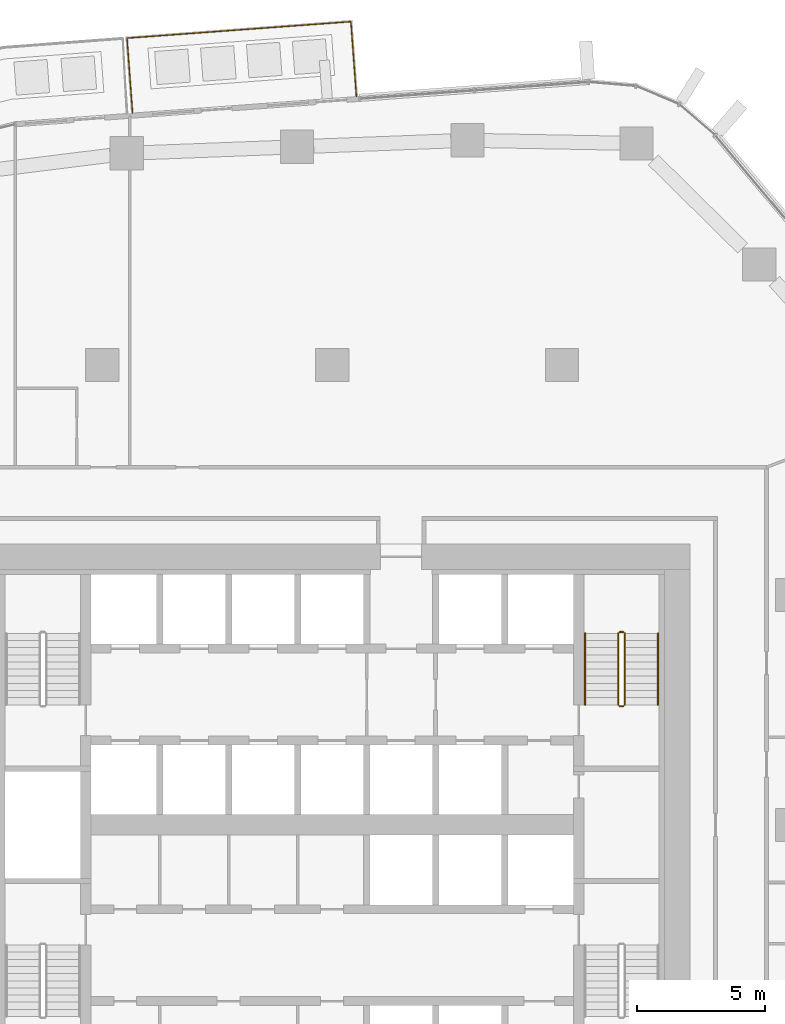
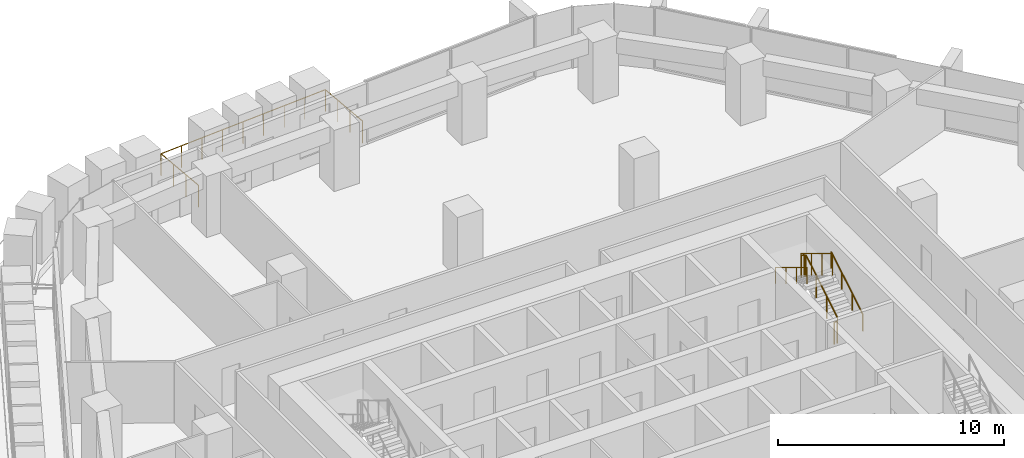
# One storey, part 22 of 23: 7 railings.
"""IFC4 building model written with IfcOpenShell, lengths in metres."""

from ifc_helpers import new_model, si_unit, direction, frame, origin, origin_2d, place, context, subcontext, project, spatial, circle, extrude, material, type_object, element, save


model = new_model("IFC4")

# Units and contexts
model_context = context("Model", 3, precision=1e-05, world=origin(), true_north=direction((0.0, 1.0)))
body_context = subcontext(model_context, "Body", "Model", "MODEL_VIEW")
ifc_project = project(units=[si_unit("LENGTHUNIT", "METRE"), si_unit("AREAUNIT", "SQUARE_METRE"), si_unit("VOLUMEUNIT", "CUBIC_METRE"), si_unit("PLANEANGLEUNIT", "RADIAN"), si_unit("MASSUNIT", "GRAM", prefix="KILO")], contexts=[model_context])

# Site, building, storey
site_placement = place(None, origin())
site = spatial("IfcSite", under=ifc_project, at=site_placement, CompositionType="ELEMENT")
building_placement = place(site_placement, origin())
building = spatial("IfcBuilding", under=site, at=building_placement, Name="Dongbaek Canopy Tower", CompositionType="ELEMENT")
storey_placement = place(building_placement, frame((0.0, 0.0, 135.89990234375)))
storey = spatial("IfcBuildingStorey", under=building, at=storey_placement, Name="L30", CompositionType="ELEMENT", Elevation=135.89990234375)

# Railings
ifc_material_1 = material(Name="Stainless steel", Category="steel")
railing_type_1 = type_object("IfcRailingType", Name="Balcony balustrade 1200", PredefinedType="BALUSTRADE", material=ifc_material_1)
railing_1_placement = place(storey_placement, frame((0.94775390625, 28.5107421875, 0.0)))
element("IfcRailing", 1, at=railing_1_placement, inside=storey, type_object=railing_type_1, Name="Balcony guard L30 1", PredefinedType="BALUSTRADE", context=body_context, shape_type="SweptSolid", body=[
    extrude(circle(Radius=0.02392578125, at=origin_2d()), frame((0.0, 0.0, 1.17578125), z_axis=(-0.073489339085, 0.99729600272, 0.0), x_axis=(-0.99729600272, -0.073489339085, 0.0)), (0.0, 0.0, 1.0), 2.940185546875),
    extrude(circle(Radius=0.02392578125, at=origin_2d()), frame((-0.216064453125, 2.93212890625, 1.17578125), z_axis=(-0.997293170892, -0.07352775865, 0.0), x_axis=(0.07352775865, -0.997293170892, 0.0)), (0.0, 0.0, 1.0), 8.78564453125),
    extrude(circle(Radius=0.02392578125, at=origin_2d()), frame((-8.97802734375, 2.2861328125, 1.17578125), z_axis=(0.073489339085, -0.99729600272, 0.0), x_axis=(0.99729600272, 0.073489339085, 0.0)), (0.0, 0.0, 1.0), 2.940185546875),
    extrude(circle(Radius=0.02099609375, at=origin_2d()), origin(), (0.0, 0.0, 1.0), 1.15185546875),
    extrude(circle(Radius=0.02099609375, at=origin_2d()), frame((-0.072021484375, 0.977294921875, 0.0)), (0.0, 0.0, 1.0), 1.15185546875),
    extrude(circle(Radius=0.02099609375, at=origin_2d()), frame((-0.14404296875, 1.954833984375, 0.0)), (0.0, 0.0, 1.0), 1.15185546875),
    extrude(circle(Radius=0.02099609375, at=origin_2d()), frame((-0.216064453125, 2.93212890625, 0.0)), (0.0, 0.0, 1.0), 1.15185546875),
    extrude(circle(Radius=0.02099609375, at=origin_2d()), frame((-1.311279296875, 2.851318359375, 0.0)), (0.0, 0.0, 1.0), 1.15185546875),
    extrude(circle(Radius=0.02099609375, at=origin_2d()), frame((-2.406494140625, 2.7705078125, 0.0)), (0.0, 0.0, 1.0), 1.15185546875),
    extrude(circle(Radius=0.02099609375, at=origin_2d()), frame((-3.501708984375, 2.68994140625, 0.0)), (0.0, 0.0, 1.0), 1.15185546875),
    extrude(circle(Radius=0.02099609375, at=origin_2d()), frame((-4.59716796875, 2.609130859375, 0.0)), (0.0, 0.0, 1.0), 1.15185546875),
    extrude(circle(Radius=0.02099609375, at=origin_2d()), frame((-5.6923828125, 2.5283203125, 0.0)), (0.0, 0.0, 1.0), 1.15185546875),
    extrude(circle(Radius=0.02099609375, at=origin_2d()), frame((-6.78759765625, 2.44775390625, 0.0)), (0.0, 0.0, 1.0), 1.15185546875),
    extrude(circle(Radius=0.02099609375, at=origin_2d()), frame((-7.8828125, 2.366943359375, 0.0)), (0.0, 0.0, 1.0), 1.15185546875),
    extrude(circle(Radius=0.02099609375, at=origin_2d()), frame((-8.97802734375, 2.2861328125, 0.0)), (0.0, 0.0, 1.0), 1.15185546875),
    extrude(circle(Radius=0.02099609375, at=origin_2d()), frame((-8.906005859375, 1.308837890625, 0.0)), (0.0, 0.0, 1.0), 1.15185546875),
    extrude(circle(Radius=0.02099609375, at=origin_2d()), frame((-8.833984375, 0.331298828125, 0.0)), (0.0, 0.0, 1.0), 1.15185546875),
    extrude(circle(Radius=0.02099609375, at=origin_2d()), frame((-8.761962890625, -0.64599609375, 0.0)), (0.0, 0.0, 1.0), 1.15185546875),
])
ifc_material_2 = material(Name="Stainless steel tube and balusters", Category="steel")
railing_type_2 = type_object("IfcRailingType", Name="Stair guard 1200", PredefinedType="GUARDRAIL", material=ifc_material_2)
railing_2_placement = place(storey_placement, frame((11.449951171875, 4.699951171875, 0.168212890625)))
element("IfcRailing", 2, at=railing_2_placement, inside=storey, type_object=railing_type_2, Name="L30 ST-A stair guard 1", PredefinedType="GUARDRAIL", context=body_context, shape_type="SweptSolid", body=[
    extrude(circle(Radius=0.02392578125, at=origin_2d()), frame((0.0, 0.0, 1.17578125), z_axis=(0.0, 0.857242210791, 0.514913383045), x_axis=(-1.0, 0.0, 0.0)), (0.0, 0.0, 1.0), 3.266357421875),
    extrude(circle(Radius=0.02099609375, at=origin_2d()), origin(), (0.0, 0.0, 1.0), 1.15185546875),
    extrude(circle(Radius=0.02099609375, at=origin_2d()), frame((0.0, 0.933349609375, 0.560546875)), (0.0, 0.0, 1.0), 1.15185546875),
    extrude(circle(Radius=0.02099609375, at=origin_2d()), frame((0.0, 1.86669921875, 1.121337890625)), (0.0, 0.0, 1.0), 1.15185546875),
    extrude(circle(Radius=0.02099609375, at=origin_2d()), frame((0.0, 2.800048828125, 1.681884765625)), (0.0, 0.0, 1.0), 1.15185546875),
])
railing_3_placement = place(storey_placement, frame((11.39990234375, 7.550048828125, 1.85009765625)))
element("IfcRailing", 3, at=railing_3_placement, inside=storey, type_object=railing_type_2, Name="L30 ST-A stair guard 2", PredefinedType="GUARDRAIL", context=body_context, shape_type="SweptSolid", body=[
    extrude(circle(Radius=0.02392578125, at=origin_2d()), frame((0.0, 0.0, 1.17578125), z_axis=(-1.0, 0.0, 0.0), x_axis=(0.0, -1.0, 0.0)), (0.0, 0.0, 1.0), 0.14990234375),
    extrude(circle(Radius=0.02099609375, at=origin_2d()), origin(), (0.0, 0.0, 1.0), 1.15185546875),
    extrude(circle(Radius=0.02099609375, at=origin_2d()), frame((-0.14990234375, 0.0, 0.0)), (0.0, 0.0, 1.0), 1.15185546875),
])
railing_4_placement = place(storey_placement, frame((11.199951171875, 7.5, 2.018310546875)))
element("IfcRailing", 4, at=railing_4_placement, inside=storey, type_object=railing_type_2, Name="L30 ST-A stair guard 3", PredefinedType="GUARDRAIL", context=body_context, shape_type="SweptSolid", body=[
    extrude(circle(Radius=0.02392578125, at=origin_2d()), frame((0.0, 0.0, 1.17578125), z_axis=(0.0, -0.857242210791, 0.514913383045), x_axis=(1.0, 0.0, 0.0)), (0.0, 0.0, 1.0), 3.266357421875),
    extrude(circle(Radius=0.02099609375, at=origin_2d()), origin(), (0.0, 0.0, 1.0), 1.15185546875),
    extrude(circle(Radius=0.02099609375, at=origin_2d()), frame((0.0, -0.933349609375, 0.560546875)), (0.0, 0.0, 1.0), 1.15185546875),
    extrude(circle(Radius=0.02099609375, at=origin_2d()), frame((0.0, -1.86669921875, 1.121337890625)), (0.0, 0.0, 1.0), 1.15185546875),
    extrude(circle(Radius=0.02099609375, at=origin_2d()), frame((0.0, -2.800048828125, 1.681884765625)), (0.0, 0.0, 1.0), 1.15185546875),
])
railing_5_placement = place(storey_placement, frame((11.39990234375, 4.64990234375, 0.0)))
element("IfcRailing", 5, at=railing_5_placement, inside=storey, type_object=railing_type_2, Name="L30 ST-A stair guard 4", PredefinedType="GUARDRAIL", context=body_context, shape_type="SweptSolid", body=[
    extrude(circle(Radius=0.02392578125, at=origin_2d()), frame((0.0, 0.0, 1.17578125), z_axis=(-1.0, 0.0, 0.0), x_axis=(0.0, -1.0, 0.0)), (0.0, 0.0, 1.0), 0.14990234375),
    extrude(circle(Radius=0.02099609375, at=origin_2d()), origin(), (0.0, 0.0, 1.0), 1.15185546875),
    extrude(circle(Radius=0.02099609375, at=origin_2d()), frame((-0.14990234375, 0.0, 0.0)), (0.0, 0.0, 1.0), 1.15185546875),
])
ifc_material_3 = material(Name="Stainless steel tube", Category="steel")
railing_type_3 = type_object("IfcRailingType", Name="Stair handrail 900", PredefinedType="HANDRAIL", material=ifc_material_3)
railing_6_placement = place(storey_placement, frame((12.75, 4.699951171875, 0.168212890625)))
element("IfcRailing", 6, at=railing_6_placement, inside=storey, type_object=railing_type_3, Name="L30 ST-A stair handrail 1", PredefinedType="HANDRAIL", context=body_context, shape_type="SweptSolid", body=[
    extrude(circle(Radius=0.02392578125, at=origin_2d()), frame((0.0, 0.0, 0.8759765625), z_axis=(0.0, 0.857242210791, 0.514913383045), x_axis=(-1.0, 0.0, 0.0)), (0.0, 0.0, 1.0), 3.266357421875),
    extrude(circle(Radius=0.02099609375, at=origin_2d()), origin(), (0.0, 0.0, 1.0), 0.851806640625),
    extrude(circle(Radius=0.02099609375, at=origin_2d()), frame((0.0, 0.933349609375, 0.560546875)), (0.0, 0.0, 1.0), 0.851806640625),
    extrude(circle(Radius=0.02099609375, at=origin_2d()), frame((0.0, 1.86669921875, 1.121337890625)), (0.0, 0.0, 1.0), 0.851806640625),
    extrude(circle(Radius=0.02099609375, at=origin_2d()), frame((0.0, 2.800048828125, 1.681884765625)), (0.0, 0.0, 1.0), 0.851806640625),
])
railing_7_placement = place(storey_placement, frame((9.89990234375, 7.5, 2.018310546875)))
element("IfcRailing", 7, at=railing_7_placement, inside=storey, type_object=railing_type_3, Name="L30 ST-A stair handrail 2", PredefinedType="HANDRAIL", context=body_context, shape_type="SweptSolid", body=[
    extrude(circle(Radius=0.02392578125, at=origin_2d()), frame((0.0, 0.0, 0.8759765625), z_axis=(0.0, -0.857242210791, 0.514913383045), x_axis=(1.0, 0.0, 0.0)), (0.0, 0.0, 1.0), 3.266357421875),
    extrude(circle(Radius=0.02099609375, at=origin_2d()), origin(), (0.0, 0.0, 1.0), 0.851806640625),
    extrude(circle(Radius=0.02099609375, at=origin_2d()), frame((0.0, -0.933349609375, 0.560546875)), (0.0, 0.0, 1.0), 0.851806640625),
    extrude(circle(Radius=0.02099609375, at=origin_2d()), frame((0.0, -1.86669921875, 1.121337890625)), (0.0, 0.0, 1.0), 0.851806640625),
    extrude(circle(Radius=0.02099609375, at=origin_2d()), frame((0.0, -2.800048828125, 1.681884765625)), (0.0, 0.0, 1.0), 0.851806640625),
])

save(model, "model.ifc")
